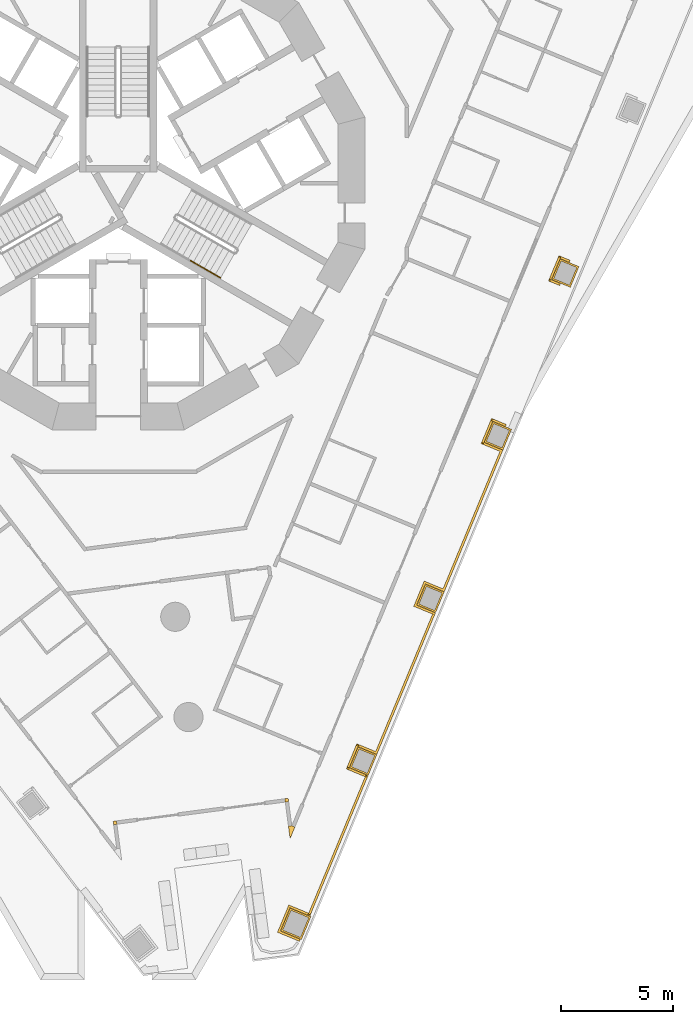
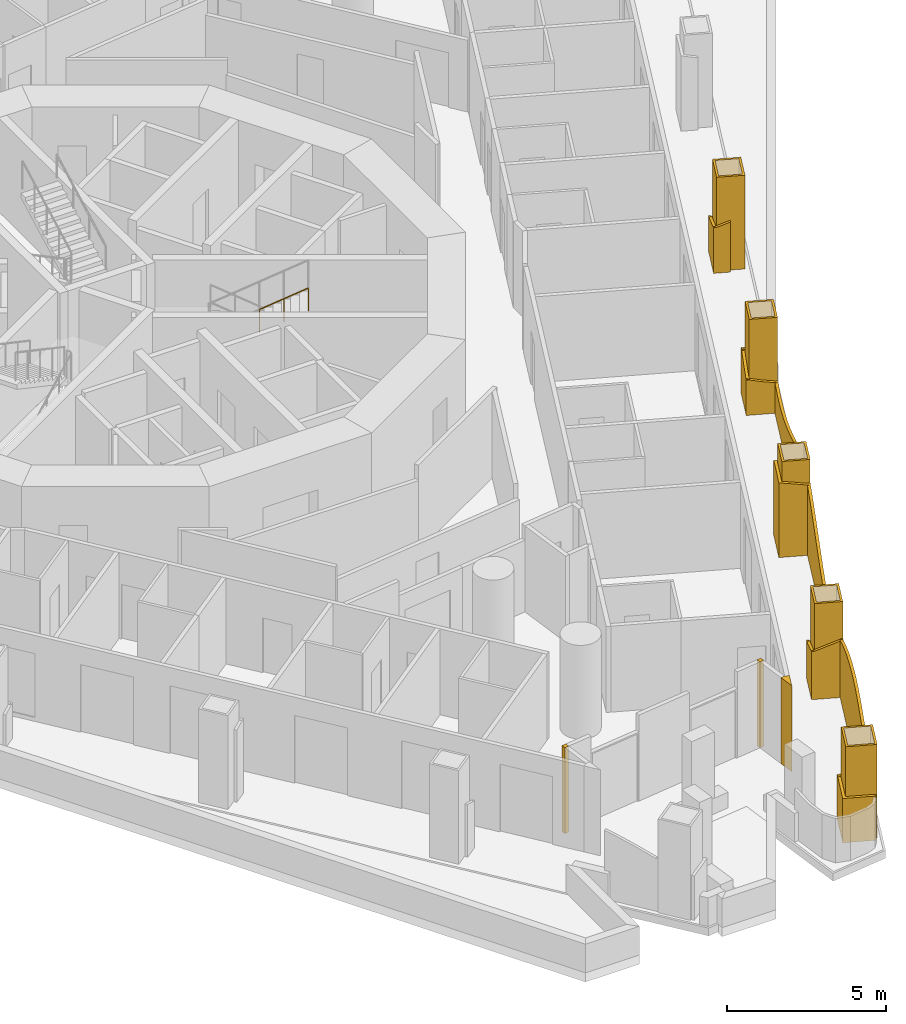
# One storey, part 14 of 20: 8 coverings, 3 railings.
"""IFC4 building model written with IfcOpenShell, lengths in metres."""

from ifc_helpers import new_model, si_unit, direction, frame, origin, origin_2d, place, context, subcontext, project, spatial, polyline, circle, outline, extrude, material, layer, layer_set, type_object, element, save


model = new_model("IFC4")

# Units and contexts
model_context = context("Model", 3, precision=1e-05, world=origin(), true_north=direction((0.0, 1.0)))
body_context = subcontext(model_context, "Body", "Model", "MODEL_VIEW")
ifc_project = project(units=[si_unit("LENGTHUNIT", "METRE"), si_unit("AREAUNIT", "SQUARE_METRE"), si_unit("VOLUMEUNIT", "CUBIC_METRE"), si_unit("PLANEANGLEUNIT", "RADIAN"), si_unit("MASSUNIT", "GRAM", prefix="KILO")], contexts=[model_context])

# Site, building, storey
site_placement = place(None, origin())
site = spatial("IfcSite", under=ifc_project, at=site_placement, CompositionType="ELEMENT")
building_placement = place(site_placement, origin())
building = spatial("IfcBuilding", under=site, at=building_placement, Name="Trine Commons Tower", CompositionType="ELEMENT")
storey_placement = place(building_placement, frame((0.0, 0.0, 50.39990234375)))
storey = spatial("IfcBuildingStorey", under=building, at=storey_placement, Name="L11", CompositionType="ELEMENT", Elevation=50.39990234375)

# Coverings
ifc_material_1 = material(Name="Aluminium-framed insulated wall panel", Category="aluminium")
ifc_layer_1 = layer(ifc_material_1, 0.14990234375)
ifc_layer_set_1 = layer_set([ifc_layer_1], Name="Aluminium-framed insulated wall panel")
covering_type_1 = type_object("IfcCoveringType", Name="Glazing corner post, aluminium", PredefinedType="CLADDING", material=ifc_layer_set_1)
covering_1_placement = place(storey_placement, origin())
element("IfcCovering", 1, at=covering_1_placement, inside=storey, type_object=covering_type_1, Name="Glazing corner post 2-09", PredefinedType="CLADDING", context=body_context, shape_type="SweptSolid", body=[
    extrude(outline(polyline([(87.6015625, 33.79736328125), (87.674560546875, 33.242431640625), (87.888916015625, 33.759521484375), (87.750244140625, 33.81689453125), (87.6015625, 33.79736328125)])), origin(), (0.0, 0.0, 1.0), 3.300048828125),
])
covering_2_placement = place(storey_placement, origin())
element("IfcCovering", 2, at=covering_2_placement, inside=storey, type_object=covering_type_1, Name="Glazing corner post 2-10", PredefinedType="CLADDING", context=body_context, shape_type="SweptSolid", body=[
    extrude(outline(polyline([(87.440185546875, 35.0224609375), (87.459716796875, 34.873779296875), (87.6083984375, 34.893310546875), (87.5888671875, 35.0419921875), (87.440185546875, 35.0224609375)])), origin(), (0.0, 0.0, 1.0), 3.300048828125),
])
covering_3_placement = place(storey_placement, origin())
element("IfcCovering", 3, at=covering_3_placement, inside=storey, type_object=covering_type_1, Name="Glazing corner post 2-11", PredefinedType="CLADDING", context=body_context, shape_type="SweptSolid", body=[
    extrude(outline(polyline([(79.7958984375, 33.864990234375), (79.944580078125, 33.884521484375), (79.925048828125, 34.033203125), (79.7763671875, 34.013671875), (79.7958984375, 33.864990234375)])), origin(), (0.0, 0.0, 1.0), 3.300048828125),
])
ifc_material_2 = material(Name="Limestone, honed", Category="masonry")
ifc_layer_2 = layer(ifc_material_2, 0.074951171875)
ifc_layer_set_2 = layer_set([ifc_layer_2], Name="Limestone, honed")
covering_type_2 = type_object("IfcCoveringType", Name="Limestone column cladding 75", PredefinedType="CLADDING", material=ifc_layer_set_2)
covering_4_placement = place(storey_placement, origin())
element("IfcCovering", 4, at=covering_4_placement, inside=storey, type_object=covering_type_2, Name="Limestone pier cladding 2-20", PredefinedType="CLADDING", context=body_context, shape_type="SweptSolid", body=[
    extrude(outline(polyline([(100.5673828125, 58.77587890625), (99.73583984375, 59.120361328125), (99.35302734375, 58.196533203125), (100.1845703125, 57.852294921875), (100.5673828125, 58.77587890625)]), holes=[polyline([(100.46923828125, 58.7353515625), (99.7763671875, 59.0224609375), (99.451171875, 58.2373046875), (100.14404296875, 57.9501953125), (100.46923828125, 58.7353515625)])]), origin(), (0.0, 0.0, 1.0), 3.60009765625),
])
covering_5_placement = place(storey_placement, origin())
element("IfcCovering", 5, at=covering_5_placement, inside=storey, type_object=covering_type_2, Name="Limestone pier cladding 2-21", PredefinedType="CLADDING", context=body_context, shape_type="SweptSolid", body=[
    extrude(outline(polyline([(97.55908203125, 51.513916015625), (96.727783203125, 51.858154296875), (96.344970703125, 50.934326171875), (97.176513671875, 50.590087890625), (97.55908203125, 51.513916015625)]), holes=[polyline([(97.461181640625, 51.47314453125), (96.768310546875, 51.76025390625), (96.443115234375, 50.97509765625), (97.135986328125, 50.68798828125), (97.461181640625, 51.47314453125)])]), origin(), (0.0, 0.0, 1.0), 3.60009765625),
])
covering_6_placement = place(storey_placement, origin())
element("IfcCovering", 6, at=covering_6_placement, inside=storey, type_object=covering_type_2, Name="Limestone pier cladding 2-22", PredefinedType="CLADDING", context=body_context, shape_type="SweptSolid", body=[
    extrude(outline(polyline([(94.551025390625, 44.251708984375), (93.719482421875, 44.59619140625), (93.3369140625, 43.67236328125), (94.16845703125, 43.327880859375), (94.551025390625, 44.251708984375)]), holes=[polyline([(94.453125, 44.211181640625), (93.76025390625, 44.498291015625), (93.434814453125, 43.712890625), (94.127685546875, 43.42578125), (94.453125, 44.211181640625)])]), origin(), (0.0, 0.0, 1.0), 3.60009765625),
])
covering_7_placement = place(storey_placement, origin())
element("IfcCovering", 7, at=covering_7_placement, inside=storey, type_object=covering_type_2, Name="Limestone pier cladding 2-23", PredefinedType="CLADDING", context=body_context, shape_type="SweptSolid", body=[
    extrude(outline(polyline([(91.54296875, 36.989501953125), (90.71142578125, 37.333984375), (90.328857421875, 36.41015625), (91.160400390625, 36.065673828125), (91.54296875, 36.989501953125)]), holes=[polyline([(91.445068359375, 36.948974609375), (90.752197265625, 37.236083984375), (90.4267578125, 36.45068359375), (91.11962890625, 36.16357421875), (91.445068359375, 36.948974609375)])]), origin(), (0.0, 0.0, 1.0), 3.60009765625),
])
covering_8_placement = place(storey_placement, origin())
element("IfcCovering", 8, at=covering_8_placement, inside=storey, type_object=covering_type_2, Name="Limestone pier cladding 2-24", PredefinedType="CLADDING", context=body_context, shape_type="SweptSolid", body=[
    extrude(outline(polyline([(88.60009765625, 29.75439453125), (87.67626953125, 30.13720703125), (87.25537109375, 29.120849609375), (88.17919921875, 28.738037109375), (88.60009765625, 29.75439453125)]), holes=[polyline([(88.502197265625, 29.7138671875), (87.716796875, 30.0390625), (87.353515625, 29.161376953125), (88.138671875, 28.836181640625), (88.502197265625, 29.7138671875)])]), origin(), (0.0, 0.0, 1.0), 3.60009765625),
])

# Railings
ifc_material_3 = material(Name="Stainless steel handrail", Category="steel")
railing_type_1 = type_object("IfcRailingType", Name="Stair handrail, steel 900", PredefinedType="HANDRAIL", material=ifc_material_3)
railing_1_placement = place(storey_placement, frame((83.236083984375, 59.0439453125, 2.775146484375)))
element("IfcRailing", 9, at=railing_1_placement, inside=storey, type_object=railing_type_1, Name="L11 ST3A stair handrail 4", PredefinedType="HANDRAIL", context=body_context, shape_type="SweptSolid", body=[
    extrude(circle(Radius=0.02099609375, at=origin_2d()), frame((0.0, 0.0, 0.87890625), z_axis=(0.76340495495, -0.440743040072, 0.472184759798), x_axis=(0.499992328818, 0.866029832698, 0.0)), (0.0, 0.0, 1.0), 1.7470703125),
    extrude(circle(Radius=0.01513671875, at=origin_2d()), origin(), (0.0, 0.0, 1.0), 0.85791015625),
    extrude(circle(Radius=0.01513671875, at=origin_2d()), frame((0.6669921875, -0.385009765625, 0.41259765625)), (0.0, 0.0, 1.0), 0.85791015625),
    extrude(circle(Radius=0.01513671875, at=origin_2d()), frame((1.333740234375, -0.77001953125, 0.824951171875)), (0.0, 0.0, 1.0), 0.85791015625),
])
ifc_material_4 = material(Name="White powder-coated aluminium", Category="aluminium")
ifc_layer_3 = layer(ifc_material_4, 0.10009765625)
ifc_layer_set_3 = layer_set([ifc_layer_3], Name="White powder-coated aluminium")
railing_type_2 = type_object("IfcRailingType", Name="White balustrade band 100", PredefinedType="GUARDRAIL", material=ifc_layer_set_3)
railing_2_placement = place(storey_placement, origin())
element("IfcRailing", 10, at=railing_2_placement, inside=storey, type_object=railing_type_2, Name="Guard band L11 15", PredefinedType="GUARDRAIL", context=body_context, shape_type="SweptSolid", body=[
    extrude(outline(polyline([(0.0, 0.0), (0.541015625, 0.0), (0.541015625, 1.376708984375), (0.03515625, 1.249755859375), (0.0, 1.243408203125), (0.0, 0.0)])), frame((100.136962890625, 58.965087890625, 0.0), z_axis=(0.382723818695, 0.923862802911, 0.0), x_axis=(-0.923862802911, 0.382723818695, 0.0)), (0.0, 0.0, 1.0), 0.10009765625),
    extrude(outline(polyline([(0.0, 0.0), (1.221923828125, 0.0), (1.221923828125, 1.75439453125), (0.611083984375, 1.534912109375), (0.0, 1.348388671875), (0.0, 0.0)])), frame((99.76904296875, 59.226806640625, 0.0), z_axis=(-0.923831740496, 0.382798792126, 0.0), x_axis=(-0.382798792126, -0.923831740496, 0.0)), (0.0, 0.0, 1.0), 0.10009765625),
    extrude(outline(polyline([(0.0, 0.0), (0.540283203125, 0.0), (0.54052734375, 1.923828125), (0.505859375, 1.910400390625), (0.0, 1.71630859375), (0.0, 0.0)])), frame((99.2470703125, 58.2294921875, 0.0), z_axis=(-0.382657697953, -0.923890191634, 0.0), x_axis=(0.923890191634, -0.382657697953, 0.0)), (0.0, 0.0, 1.0), 0.10009765625),
])
railing_3_placement = place(storey_placement, origin())
element("IfcRailing", 11, at=railing_3_placement, inside=storey, type_object=railing_type_2, Name="Guard band L11 16", PredefinedType="GUARDRAIL", context=body_context, shape_type="SweptSolid", body=[
    extrude(outline(polyline([(0.0, 0.0), (0.7138671875, 0.0), (0.713623046875, 1.71875), (0.208251953125, 1.91259765625), (0.0, 1.994384765625), (0.0, 0.0)])), frame((97.288818359375, 51.63671875, 0.0), z_axis=(0.382744498288, 0.923854235813, 0.0), x_axis=(-0.923854235813, 0.382744498288, 0.0)), (0.0, 0.0, 1.0), 0.10009765625),
    extrude(outline(polyline([(0.0, 0.0), (1.221435546875, 0.0), (1.2216796875, 1.35009765625), (0.61083984375, 1.537109375), (0.0, 1.7568359375), (0.0, 0.0)])), frame((96.7607421875, 51.96435546875, 0.0), z_axis=(-0.92391451808, 0.382598958807, 0.0), x_axis=(-0.382598958807, -0.92391451808, 0.0)), (0.0, 0.0, 1.0), 0.10009765625),
    extrude(outline(polyline([(0.0, 0.0), (1.01171875, 0.0), (1.01171875, 1.159912109375), (0.505859375, 1.2509765625), (0.0, 1.37841796875), (0.0, 0.0)])), frame((96.238525390625, 50.967529296875, 0.0), z_axis=(-0.382678545101, -0.923881556867, 0.0), x_axis=(0.923881556867, -0.382678545101, 0.0)), (0.0, 0.0, 1.0), 0.10009765625),
    extrude(outline(polyline([(0.0, 0.0), (6.841796875, 0.0), (6.841796875, 2.759521484375), (6.081787109375, 2.560791015625), (5.321533203125, 2.30078125), (4.561279296875, 2.008056640625), (3.801025390625, 1.714599609375), (3.041015625, 1.4521484375), (2.280517578125, 1.24951171875), (1.5205078125, 1.128662109375), (0.94189453125, 1.10009765625), (0.76025390625, 1.102783203125), (0.0, 1.175048828125), (0.0, 0.0)])), frame((97.1728515625, 50.581298828125, 0.0), z_axis=(-0.923872004977, 0.382701604935, 0.0), x_axis=(-0.382701604935, -0.923872004977, 0.0)), (0.0, 0.0, 1.0), 0.10009765625),
    extrude(outline(polyline([(0.0, 0.0), (1.01171875, 0.0), (1.01171875, 2.88720703125), (0.505859375, 2.780029296875), (0.0, 2.7373046875), (0.0, 0.0)])), frame((94.555419921875, 44.2607421875, 0.0), z_axis=(0.382763868836, 0.923846210532, 0.0), x_axis=(-0.923846210532, 0.382763868836, 0.0)), (0.0, 0.0, 1.0), 0.10009765625),
    extrude(outline(polyline([(0.0, 0.0), (1.221923828125, 0.0), (1.221923828125, 2.8544921875), (0.61083984375, 2.898681640625), (0.489990234375, 2.900146484375), (0.0, 2.879638671875), (0.0, 0.0)])), frame((93.752685546875, 44.7021484375, 0.0), z_axis=(-0.923902384443, 0.382628258263, 0.0), x_axis=(-0.382628258263, -0.923902384443, 0.0)), (0.0, 0.0, 1.0), 0.10009765625),
    extrude(outline(polyline([(0.0, 0.0), (1.011962890625, 0.0), (1.01220703125, 2.6787109375), (0.506103515625, 2.780029296875), (0.0, 2.8662109375), (0.0, 0.0)])), frame((93.230712890625, 43.705322265625, 0.0), z_axis=(-0.382593256136, -0.923916879573, 0.0), x_axis=(0.923916879573, -0.382593256136, 0.0)), (0.0, 0.0, 1.0), 0.10009765625),
    extrude(outline(polyline([(0.0, 0.0), (6.842041015625, 0.0), (6.84228515625, 1.217529296875), (6.081787109375, 1.115478515625), (5.658447265625, 1.10009765625), (5.32177734375, 1.10986328125), (4.561279296875, 1.201416015625), (3.80126953125, 1.3798828125), (3.041015625, 1.626220703125), (2.28076171875, 1.913330078125), (1.5205078125, 2.209716796875), (0.76025390625, 2.4833984375), (0.0, 2.704345703125), (0.0, 0.0)])), frame((94.164794921875, 43.319580078125, 0.0), z_axis=(-0.923889846188, 0.382658531999, 0.0), x_axis=(-0.382658531999, -0.923889846188, 0.0)), (0.0, 0.0, 1.0), 0.10009765625),
    extrude(outline(polyline([(0.0, 0.0), (1.01123046875, 0.0), (1.01123046875, 1.450439453125), (0.505615234375, 1.307861328125), (0.0, 1.19873046875), (0.0, 0.0)])), frame((91.54736328125, 36.998779296875, 0.0), z_axis=(0.382437090864, 0.92398153203, 0.0), x_axis=(-0.92398153203, 0.382437090864, 0.0)), (0.0, 0.0, 1.0), 0.10009765625),
    extrude(outline(polyline([(0.0, 0.0), (1.221435546875, 0.0), (1.221435546875, 1.849609375), (0.610595703125, 1.62109375), (0.0, 1.41943359375), (0.0, 0.0)])), frame((90.744384765625, 37.43994140625, 0.0), z_axis=(-0.92391451808, 0.382598958807, 0.0), x_axis=(-0.382598958807, -0.92391451808, 0.0)), (0.0, 0.0, 1.0), 0.10009765625),
    extrude(outline(polyline([(0.0, 0.0), (1.01171875, 0.0), (1.01171875, 2.20458984375), (0.505859375, 2.007568359375), (0.0, 1.810302734375), (0.0, 0.0)])), frame((90.22265625, 36.443115234375, 0.0), z_axis=(-0.382472565758, -0.92396684813, 0.0), x_axis=(0.92396684813, -0.382472565758, 0.0)), (0.0, 0.0, 1.0), 0.10009765625),
    extrude(outline(polyline([(0.0, 0.0), (6.792724609375, 0.0), (6.79248046875, 1.993408203125), (6.037841796875, 2.284912109375), (5.283203125, 2.545654296875), (4.5283203125, 2.747802734375), (3.773681640625, 2.86962890625), (3.176025390625, 2.900146484375), (3.018798828125, 2.89794921875), (2.26416015625, 2.829833984375), (1.509521484375, 2.67236328125), (0.754638671875, 2.442626953125), (0.0, 2.165283203125), (0.0, 0.0)])), frame((91.15673828125, 36.057373046875, 0.0), z_axis=(-0.923884102272, 0.382672399801, 0.0), x_axis=(-0.382672399801, -0.923884102272, 0.0)), (0.0, 0.0, 1.0), 0.10009765625),
    extrude(outline(polyline([(0.0, 0.0), (1.06201171875, 0.0), (1.062255859375, 1.7001953125), (0.531005859375, 1.825927734375), (0.0, 2.033447265625), (0.0, 0.0)])), frame((88.558837890625, 29.782470703125, 0.0), z_axis=(0.382737524945, 0.923857124776, 0.0), x_axis=(-0.923857124776, 0.382737524945, 0.0)), (0.0, 0.0, 1.0), 0.10009765625),
    extrude(outline(polyline([(0.0, 0.0), (1.322021484375, 0.0), (1.32177734375, 1.7001953125), (0.660888671875, 1.7001953125), (0.0, 1.7001953125), (0.0, 0.0)])), frame((87.709228515625, 30.2431640625, 0.0), z_axis=(-0.923899800789, 0.382634496749, 0.0), x_axis=(-0.382634496749, -0.923899800789, 0.0)), (0.0, 0.0, 1.0), 0.10009765625),
    extrude(outline(polyline([(0.0, 0.0), (1.06103515625, 0.0), (1.061279296875, 1.7001953125), (0.530517578125, 1.7001953125), (0.0, 1.7001953125), (0.0, 0.0)])), frame((87.1494140625, 29.15380859375, 0.0), z_axis=(-0.382670183912, -0.923885020089, 0.0), x_axis=(0.923885020089, -0.382670183912, 0.0)), (0.0, 0.0, 1.0), 0.10009765625),
])

save(model, "model.ifc")
